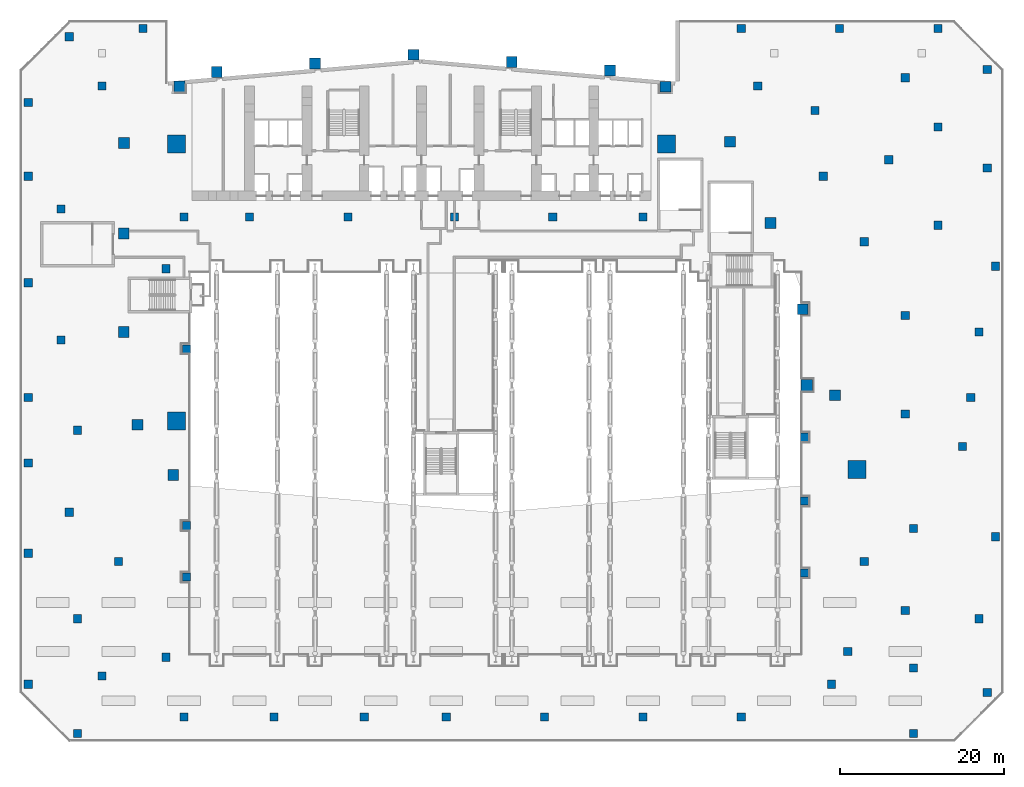
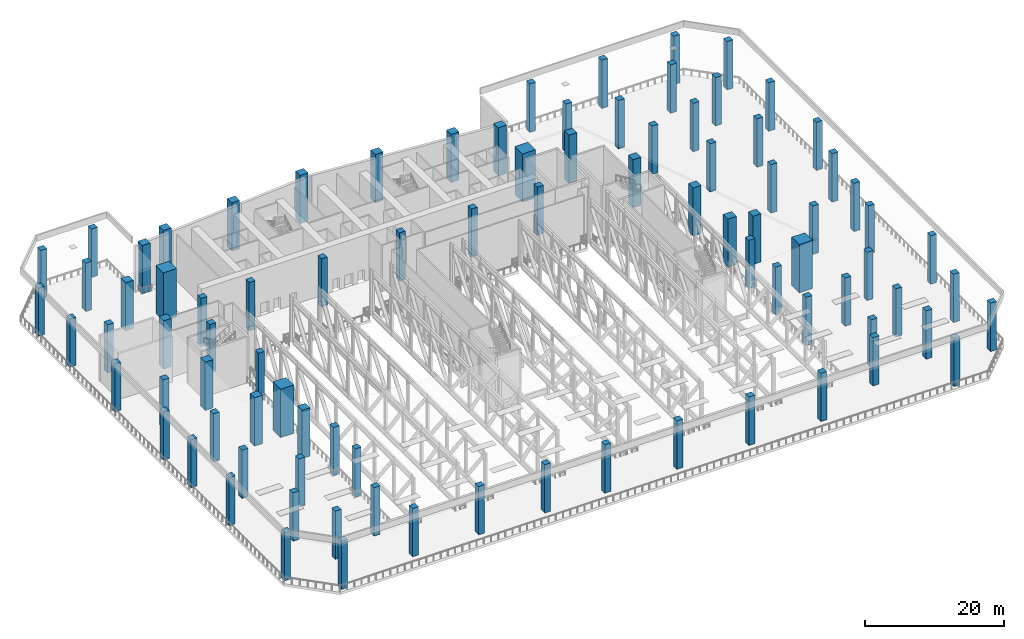
# One storey, part 1 of 33: 89 columns.
"""IFC4 building model written with IfcOpenShell, lengths in metres."""

import ifcopenshell
import ifcopenshell.guid

model = None  # the IFC model being written
_history = None  # IfcOwnerHistory: only IFC2X3 demands one
_inside = {}  # id of a spatial element -> (the spatial element, [elements in it])
_under = {}  # id of a project, library or spatial element -> (it, [spatial elements below it])
_declared = {}  # id of a project -> (the project, [libraries it declares])
_typed = {}  # id of a type object -> (the type object, [elements of that type])
_made_of = {}  # id of a material, layer set ... -> (it, [elements and type objects made of it])


def new_model(schema):
    """Start an empty IFC model of exactly this schema.

    Asked for "IFC4X3", IfcOpenShell would pick the latest addendum, in which some entities
    have other attributes; the version numbers below select the first issue.
    IFC2X3 requires an IfcOwnerHistory on every rooted entity: one is made here for all.
    """
    global model, _history
    if schema == "IFC4X3":
        model = ifcopenshell.file(schema_version=(4, 3, 0, 0))
    else:
        model = ifcopenshell.file(schema=schema)
    _inside.clear()
    _under.clear()
    _declared.clear()
    _typed.clear()
    _made_of.clear()
    _history = None
    if model.schema == "IFC2X3":
        org = make("IfcOrganization", Name="unknown")
        user = make(
            "IfcPersonAndOrganization",
            ThePerson=make("IfcPerson", FamilyName="unknown"),
            TheOrganization=org,
        )
        app = make(
            "IfcApplication",
            ApplicationDeveloper=org,
            Version="unknown",
            ApplicationFullName="unknown",
            ApplicationIdentifier="unknown",
        )
        _history = make(
            "IfcOwnerHistory",
            OwningUser=user,
            OwningApplication=app,
            ChangeAction="ADDED",
            CreationDate=0,
        )
    return model


def make(cls, **values):
    """One entity of the class cls with the attributes given. An attribute that is None is left unset."""
    return model.create_entity(
        cls, **{name: value for name, value in values.items() if value is not None}
    )


def rooted(cls, **values):
    """An entity with a GlobalId (a new one), such as an element, a storey or a relation."""
    return make(cls, GlobalId=ifcopenshell.guid.new(), OwnerHistory=_history, **values)


def si_unit(unit_type, name, prefix=None):
    """IfcSIUnit, for example si_unit("LENGTHUNIT", "METRE", prefix="MILLI")."""
    return make("IfcSIUnit", UnitType=unit_type, Prefix=prefix, Name=name)


def assignment(units):
    """IfcUnitAssignment: the units of a project."""
    return None if units is None else make("IfcUnitAssignment", Units=units)


def point(xyz):
    """IfcCartesianPoint."""
    return None if xyz is None else make("IfcCartesianPoint", Coordinates=xyz)


def direction(xyz):
    """IfcDirection."""
    return None if xyz is None else make("IfcDirection", DirectionRatios=xyz)


def frame(location, z_axis=None, x_axis=None):
    """IfcAxis2Placement3D, a coordinate frame: its origin and axes. An axis left out is left unset."""
    return make(
        "IfcAxis2Placement3D",
        Location=point(location),
        Axis=direction(z_axis),
        RefDirection=direction(x_axis),
    )


def frame_2d(location, x_axis=None):
    """IfcAxis2Placement2D, a coordinate frame in the plane: its origin and x axis."""
    return make(
        "IfcAxis2Placement2D", Location=point(location), RefDirection=direction(x_axis)
    )


def origin():
    """The frame at (0, 0, 0) with its axes left unset."""
    return frame((0.0, 0.0, 0.0))


def origin_2d():
    """The frame at (0, 0) in the plane with its x axis left unset."""
    return frame_2d((0.0, 0.0))


def place(relative_to, where):
    """IfcLocalPlacement: puts the frame where relative to a parent placement (None: the world)."""
    return make(
        "IfcLocalPlacement", PlacementRelTo=relative_to, RelativePlacement=where
    )


def context(
    kind, dimensions, precision=None, world=None, true_north=None, identifier=None
):
    """IfcGeometricRepresentationContext, for example the 3D "Model" context."""
    return make(
        "IfcGeometricRepresentationContext",
        ContextIdentifier=identifier,
        ContextType=kind,
        CoordinateSpaceDimension=dimensions,
        Precision=precision,
        WorldCoordinateSystem=world,
        TrueNorth=true_north,
    )


def subcontext(parent, identifier, kind, view, scale=None):
    """IfcGeometricRepresentationSubContext, for example "Body" below "Model"."""
    return make(
        "IfcGeometricRepresentationSubContext",
        ContextIdentifier=identifier,
        ContextType=kind,
        ParentContext=parent,
        TargetScale=scale,
        TargetView=view,
    )


def project(units=None, contexts=None):
    """IfcProject with its units and contexts."""
    return rooted(
        "IfcProject",
        Name="project",
        RepresentationContexts=contexts,
        UnitsInContext=assignment(units),
    )


def spatial(cls, under=None, at=None, **own):
    """A site, building, storey or space (cls), placed at a placement, below another one or the project."""
    s = rooted(cls, ObjectPlacement=at, **own)
    if under is not None:
        _under.setdefault(under.id(), (under, []))[1].append(s)
    return s


def profile(cls, at=None, kind="AREA", **sizes):
    """A parametric profile (cls). Its sizes go by their IFC names, for example OverallWidth=200.0."""
    return make(cls, ProfileType=kind, Position=at, **sizes)


def rectangle(**sizes):
    """IfcRectangleProfileDef."""
    return profile("IfcRectangleProfileDef", **sizes)


def extrude(swept, where, along, depth):
    """IfcExtrudedAreaSolid: the profile swept, set in the frame where, extruded along a direction by depth."""
    return make(
        "IfcExtrudedAreaSolid",
        SweptArea=swept,
        Position=where,
        ExtrudedDirection=direction(along),
        Depth=depth,
    )


def shape(context_of_items, identifier, shape_type, items):
    """IfcShapeRepresentation: the items that make up one representation, for example the "Body"."""
    return make(
        "IfcShapeRepresentation",
        ContextOfItems=context_of_items,
        RepresentationIdentifier=identifier,
        RepresentationType=shape_type,
        Items=items,
    )


def material(Name=None, Category=None):
    """IfcMaterial."""
    return make("IfcMaterial", Name=Name, Category=Category)


def material_profile(
    of_material, cross_section, Name=None, Category=None, Priority=None
):
    """IfcMaterialProfile: a cross section and its material."""
    return make(
        "IfcMaterialProfile",
        Name=Name,
        Material=of_material,
        Profile=cross_section,
        Priority=Priority,
        Category=Category,
    )


def profile_set(profiles, Name=None, composite=None):
    """IfcMaterialProfileSet."""
    return make(
        "IfcMaterialProfileSet",
        Name=Name,
        MaterialProfiles=profiles,
        CompositeProfile=composite,
    )


def made_of(thing, what):
    """Note that an element or type object is made of a material, layer set ...; save() writes the relation."""
    if what is not None:
        _made_of.setdefault(what.id(), (what, []))[1].append(thing)
    return thing


def type_object(cls, material=None, **own):
    """A type object (cls), such as IfcWallType, which elements share."""
    return made_of(rooted(cls, **own), material)


def element(
    cls,
    number,
    at=None,
    inside=None,
    cuts=None,
    type_object=None,
    material=None,
    context=None,
    identifier="Body",
    shape_type=None,
    held_by="IfcProductDefinitionShape",
    body=None,
    shapes=None,
    **own,
):
    """One element of the class cls, such as IfcWall. Its Tag is "e" and its number.

    at: its placement. inside: the storey or other place that contains it. cuts: it is an
    opening in that element (IfcRelVoidsElement). A single representation is given by context,
    identifier, shape_type and body (its items); several are given by shapes. held_by: the class
    of the entity that holds the representations. save() writes the other relations.
    """
    e = rooted(cls, Tag="e%d" % number, ObjectPlacement=at, **own)
    if body is not None:
        shapes = [shape(context, identifier, shape_type, body)]
    if shapes is not None:
        e.Representation = make(held_by, Representations=shapes)
    if inside is not None:
        _inside.setdefault(inside.id(), (inside, []))[1].append(e)
    if cuts is not None:
        rooted(
            "IfcRelVoidsElement", RelatingBuildingElement=cuts, RelatedOpeningElement=e
        )
    if type_object is not None:
        _typed.setdefault(type_object.id(), (type_object, []))[1].append(e)
    return made_of(e, material)


def aggregate(whole, parts):
    """IfcRelAggregates: a whole, such as a stair, and the parts it consists of."""
    return rooted("IfcRelAggregates", RelatingObject=whole, RelatedObjects=parts)


def save(model, path):
    """Write the relations noted so far, then the file.

    IfcRelAggregates (storeys below a building ...), IfcRelContainedInSpatialStructure (elements
    in a storey), IfcRelDefinesByType, IfcRelAssociatesMaterial and IfcRelDeclares: one each for
    every whole, place, type object, material and project.
    """
    for whole, parts in _under.values():
        aggregate(whole, parts)
    for where, things in _inside.values():
        rooted(
            "IfcRelContainedInSpatialStructure",
            RelatedElements=things,
            RelatingStructure=where,
        )
    for kind, things in _typed.values():
        rooted("IfcRelDefinesByType", RelatedObjects=things, RelatingType=kind)
    for what, things in _made_of.values():
        rooted("IfcRelAssociatesMaterial", RelatedObjects=things, RelatingMaterial=what)
    for by, libraries in _declared.values():
        rooted("IfcRelDeclares", RelatingContext=by, RelatedDefinitions=libraries)
    model.write(path)


model = new_model("IFC4")

# Units and contexts
model_context = context("Model", 3, precision=1e-05, world=origin(), true_north=direction((0.0, 1.0)))
body_context = subcontext(model_context, "Body", "Model", "MODEL_VIEW")
ifc_project = project(units=[si_unit("LENGTHUNIT", "METRE"), si_unit("AREAUNIT", "SQUARE_METRE"), si_unit("VOLUMEUNIT", "CUBIC_METRE"), si_unit("PLANEANGLEUNIT", "RADIAN"), si_unit("MASSUNIT", "GRAM", prefix="KILO")], contexts=[model_context])

# Site, building, storey
site_placement = place(None, origin())
site = spatial("IfcSite", under=ifc_project, at=site_placement, CompositionType="ELEMENT")
building_placement = place(site_placement, origin())
building = spatial("IfcBuilding", under=site, at=building_placement, Name="Wharfspan Tower", CompositionType="ELEMENT")
storey_placement = place(building_placement, frame((0.0, 0.0, 33.0)))
storey = spatial("IfcBuildingStorey", under=building, at=storey_placement, Name="L05", CompositionType="ELEMENT", Elevation=33.0)

# Columns
ifc_material = material(Name="Concrete C60/75", Category="concrete")
ifc_material_profile_1 = material_profile(ifc_material, rectangle(XDim=1.0, YDim=1.0, at=origin_2d()))
ifc_profile_set_1 = profile_set([ifc_material_profile_1], Name="Concrete C60/75")
column_type_1 = type_object("IfcColumnType", Name="Concrete column 1000 square", PredefinedType="COLUMN", material=ifc_profile_set_1)
for number, where, z_axis, x_axis, name in (
    (1, (5.800049, -21.699951, 0.0), (0.0, 0.0, 1.0), (1.0, 0.0, 0.0), "Column G.S1"),
    (2, (5.800049, 25.699951, 0.0), (0.0, 0.0, 1.0), (1.0, 0.0, 0.0), "Column G.N2"),
    (3, (8.300049, -11.919922, 0.0), (0.0, 0.0, 1.0), (1.0, 0.0, 0.0), "Column G.W3"),
    (4, (8.300049, -5.639893, 0.0), (0.0, 0.0, 1.0), (1.0, 0.0, 0.0), "Column G.W4"),
    (5, (8.300049, 15.919922, 0.0), (0.0, 0.0, 1.0), (1.0, 0.0, 0.0), "Column G.W5"),
    (6, (83.699951, -11.419922, 0.0), (0.0, 0.0, 1.0), (1.0, 0.0, 0.0), "Column G.E6"),
    (7, (83.699951, -2.639893, 0.0), (0.0, 0.0, 1.0), (1.0, 0.0, 0.0), "Column G.E7"),
    (8, (83.699951, 5.139893, 0.0), (0.0, 0.0, 1.0), (1.0, 0.0, 0.0), "Column G.E8"),
    (9, (106.0, 50.0, 0.0), (0.0, 0.0, 1.0), (1.0, 0.0, 0.0), "Column D.1"),
    (10, (106.0, -26.0, 0.0), (0.0, 0.0, 1.0), (1.0, 0.0, 0.0), "Column D.2"),
    (11, (107.0, 26.0, 0.0), (0.0, 0.0, 1.0), (1.0, 0.0, 0.0), "Column D.3"),
    (12, (-11.0, -9.0, 0.0), (0.0, 0.0, 1.0), (1.0, 0.0, 0.0), "Column D.4"),
    (13, (107.0, -7.0, 0.0), (0.0, 0.0, 1.0), (1.0, 0.0, 0.0), "Column D.5"),
    (14, (88.0, 55.0, 0.0), (0.0, 0.0, 1.0), (1.0, 0.0, 0.0), "Column D.6"),
    (15, (-11.0, -25.0, 0.0), (0.0, 0.0, 1.0), (1.0, 0.0, 0.0), "Column D.7"),
    (16, (94.0, 39.0, 0.0), (0.0, 0.0, 1.0), (1.0, 0.0, 0.0), "Column D.8"),
    (17, (104.0, 10.0, 0.0), (0.0, 0.0, 1.0), (1.0, 0.0, 0.0), "Column D.9"),
    (18, (-6.0, 54.0, 0.0), (0.0, 0.0, 1.0), (1.0, 0.0, 0.0), "Column D.10"),
    (19, (97.0, -31.0, 0.0), (0.0, 0.0, 1.0), (1.0, 0.0, 0.0), "Column D.11"),
    (20, (-11.0, 10.0, 0.0), (0.0, 0.0, 1.0), (1.0, 0.0, 0.0), "Column D.12"),
    (21, (96.0, -16.0, 0.0), (0.0, 0.0, 1.0), (1.0, 0.0, 0.0), "Column D.13"),
    (22, (-11.0, 24.0, 0.0), (0.0, 0.0, 1.0), (1.0, 0.0, 0.0), "Column D.14"),
    (23, (96.0, 20.0, 0.0), (0.0, 0.0, 1.0), (1.0, 0.0, 0.0), "Column D.15"),
    (24, (-11.0, 37.0, 0.0), (0.0, 0.0, 1.0), (1.0, 0.0, 0.0), "Column D.16"),
    (25, (106.0, 38.0, 0.0), (0.0, 0.0, 1.0), (1.0, 0.0, 0.0), "Column D.17"),
    (26, (76.0, 55.0, 0.0), (0.0, 0.0, 1.0), (1.0, 0.0, 0.0), "Column D.18"),
    (27, (-5.0, -31.0, 0.0), (0.0, 0.0, 1.0), (1.0, 0.0, 0.0), "Column D.19"),
    (28, (87.0, -25.0, 0.0), (0.0, 0.0, 1.0), (1.0, 0.0, 0.0), "Column D.20"),
    (29, (-5.0, -17.0, 0.0), (0.0, 0.0, 1.0), (1.0, 0.0, 0.0), "Column D.21"),
    (30, (85.0, 45.0, 0.0), (0.0, 0.0, 1.0), (1.0, 0.0, 0.0), "Column D.22"),
    (31, (40.0, -29.0, 0.0), (0.0, 0.0, 1.0), (1.0, 0.0, 0.0), "Column D.23"),
    (32, (-6.0, -4.0, 0.0), (0.0, 0.0, 1.0), (1.0, 0.0, 0.0), "Column D.24"),
    (33, (91.0, 29.0, 0.0), (0.0, 0.0, 1.0), (1.0, 0.0, 0.0), "Column D.25"),
    (34, (52.0, -29.0, 0.0), (0.0, 0.0, 1.0), (1.0, 0.0, 0.0), "Column D.26"),
    (35, (96.0, 49.0, 0.0), (0.0, 0.0, 1.0), (1.0, 0.0, 0.0), "Column D.27"),
    (36, (97.0, -6.0, 0.0), (0.0, 0.0, 1.0), (1.0, 0.0, 0.0), "Column D.28"),
    (37, (30.0, -29.0, 0.0), (0.0, 0.0, 1.0), (1.0, 0.0, 0.0), "Column D.29"),
    (38, (64.0, -29.0, 0.0), (0.0, 0.0, 1.0), (1.0, 0.0, 0.0), "Column D.30"),
    (39, (76.0, -29.0, 0.0), (0.0, 0.0, 1.0), (1.0, 0.0, 0.0), "Column D.31"),
    (40, (19.0, -29.0, 0.0), (0.0, 0.0, 1.0), (1.0, 0.0, 0.0), "Column D.32"),
    (41, (8.0, -29.0, 0.0), (0.0, 0.0, 1.0), (1.0, 0.0, 0.0), "Column D.33"),
    (42, (105.0, -17.0, 0.0), (0.0, 0.0, 1.0), (1.0, 0.0, 0.0), "Column D.34"),
    (43, (-11.0, 46.0, 0.0), (0.0, 0.0, 1.0), (1.0, 0.0, 0.0), "Column D.35"),
    (44, (103.0, 4.0, 0.0), (0.0, 0.0, 1.0), (1.0, 0.0, 0.0), "Column D.36"),
    (45, (41.0, 32.0, 0.0), (0.0, 0.0, 1.0), (1.0, 0.0, 0.0), "Column D.37"),
    (46, (100.0, 31.0, 0.0), (0.0, 0.0, 1.0), (1.0, 0.0, 0.0), "Column D.38"),
    (47, (0.0, -10.0, 0.0), (0.0, 0.0, 1.0), (1.0, 0.0, 0.0), "Column D.39"),
    (48, (53.0, 32.0, 0.0), (0.0, 0.0, 1.0), (1.0, 0.0, 0.0), "Column D.40"),
    (49, (3.0, 55.0, 0.0), (0.0, 0.0, 1.0), (1.0, 0.0, 0.0), "Column D.41"),
    (50, (28.0, 32.0, 0.0), (0.0, 0.0, 1.0), (1.0, 0.0, 0.0), "Column D.42"),
    (51, (64.0, 32.0, 0.0), (0.0, 0.0, 1.0), (1.0, 0.0, 0.0), "Column D.43"),
    (52, (86.0, 37.0, 0.0), (0.0, 0.0, 1.0), (1.0, 0.0, 0.0), "Column D.44"),
    (53, (96.0, 8.0, 0.0), (0.0, 0.0, 1.0), (1.0, 0.0, 0.0), "Column D.45"),
    (54, (105.0, 18.0, 0.0), (0.0, 0.0, 1.0), (1.0, 0.0, 0.0), "Column D.46"),
    (55, (16.0, 32.0, 0.0), (0.0, 0.0, 1.0), (1.0, 0.0, 0.0), "Column D.47"),
    (56, (-11.0, 2.0, 0.0), (0.0, 0.0, 1.0), (1.0, 0.0, 0.0), "Column D.48"),
    (57, (-7.0, 17.0, 0.0), (0.0, 0.0, 1.0), (1.0, 0.0, 0.0), "Column D.49"),
    (58, (8.0, 32.0, 0.0), (0.0, 0.0, 1.0), (1.0, 0.0, 0.0), "Column D.50"),
    (59, (-2.0, -24.0, 0.0), (0.0, 0.0, 1.0), (1.0, 0.0, 0.0), "Column D.51"),
    (60, (97.0, -23.0, 0.0), (0.0, 0.0, 1.0), (1.0, 0.0, 0.0), "Column D.52"),
    (61, (78.0, 48.0, 0.0), (0.0, 0.0, 1.0), (1.0, 0.0, 0.0), "Column D.53"),
    (62, (89.0, -21.0, 0.0), (0.0, 0.0, 1.0), (1.0, 0.0, 0.0), "Column D.54"),
    (63, (-7.0, 33.0, 0.0), (0.0, 0.0, 1.0), (1.0, 0.0, 0.0), "Column D.55"),
    (64, (-5.0, 6.0, 0.0), (0.0, 0.0, 1.0), (1.0, 0.0, 0.0), "Column D.56"),
    (65, (-2.0, 48.0, 0.0), (0.0, 0.0, 1.0), (1.0, 0.0, 0.0), "Column D.57"),
    (66, (91.0, -10.0, 0.0), (0.0, 0.0, 1.0), (1.0, 0.0, 0.0), "Column D.58"),
    (67, (100.0, 43.0, 0.0), (0.0, 0.0, 1.0), (1.0, 0.0, 0.0), "Column D.59"),
    (68, (100.0, 55.0, 0.0), (0.0, 0.0, 1.0), (1.0, 0.0, 0.0), "Column D.60"),
):
    element("IfcColumn", number, at=place(storey_placement, frame(where, z_axis=z_axis, x_axis=x_axis)), inside=storey, type_object=column_type_1, Name=name, PredefinedType="COLUMN", context=body_context, shape_type="SweptSolid", body=[
        extrude(rectangle(XDim=1.0, YDim=1.0, at=origin_2d()), origin(), (0.0, 0.0, 1.0), 8.5),
    ])
ifc_material_profile_2 = material_profile(ifc_material, rectangle(XDim=1.320068, YDim=1.320068, at=origin_2d()))
ifc_profile_set_2 = profile_set([ifc_material_profile_2], Name="Concrete C60/75")
column_type_2 = type_object("IfcColumnType", Name="Concrete column 1320 square", PredefinedType="COLUMN", material=ifc_profile_set_2)
for number, where, z_axis, x_axis, name in (
    (69, (6.694336, 0.528564, 0.0), (0.0, 0.0, 1.0), (1.0, 0.0, 0.0), "Column T.PS1.1"),
    (70, (87.44458, 10.268311, 0.0), (0.0, 0.0, 1.0), (1.0, 0.0, 0.0), "Column T.PE.1"),
    (71, (83.50708, 20.768311, 0.0), (0.0, 0.0, 1.0), (1.0, 0.0, 0.0), "Column T.PE.2"),
    (72, (79.56958, 31.268311, 0.0), (0.0, 0.0, 1.0), (1.0, 0.0, 0.0), "Column T.PE.3"),
    (73, (74.634277, 41.196289, 0.0), (0.0, 0.0, 1.0), (1.0, 0.0, 0.0), "Column T.PE.4"),
    (74, (66.747803, 47.915283, 0.0), (0.0, 0.0, 1.0), (1.0, 0.0, 0.0), "Column T.PNRE-V.1"),
    (75, (7.466553, 47.933594, 0.0), (0.0, 0.0, 1.0), (1.0, 0.0, 0.0), "Column T.PNRW-V.1"),
    (76, (0.684814, 41.03418, 0.0), (0.0, 0.0, 1.0), (1.0, 0.0, 0.0), "Column T.PNRW-H.1"),
    (77, (0.659912, 30.0, 0.0), (0.0, 0.0, 1.0), (1.0, 0.0, 0.0), "Column T.PW.1"),
    (78, (0.659912, 18.0, 0.0), (0.0, 0.0, 1.0), (1.0, 0.0, 0.0), "Column T.PW.2"),
    (79, (2.331787, 6.66748, 0.0), (0.0, 0.0, 1.0), (1.0, 0.0, 0.0), "Column T.PW.3"),
    (80, (12.0, 49.709961, 0.0), (0.0, 0.0, 1.0), (1.0, 0.0, 0.0), "Column T.R.1"),
    (81, (24.0, 50.759766, 0.0), (0.0, 0.0, 1.0), (1.0, 0.0, 0.0), "Column T.R.2"),
    (82, (36.0, 51.80957, 0.0), (0.0, 0.0, 1.0), (1.0, 0.0, 0.0), "Column T.R.3"),
    (83, (48.0, 50.934814, 0.0), (0.0, 0.0, 1.0), (1.0, 0.0, 0.0), "Column T.R.4"),
    (84, (60.0, 49.884766, 0.0), (0.0, 0.0, 1.0), (1.0, 0.0, 0.0), "Column T.R.5"),
):
    element("IfcColumn", number, at=place(storey_placement, frame(where, z_axis=z_axis, x_axis=x_axis)), inside=storey, type_object=column_type_2, Name=name, PredefinedType="COLUMN", context=body_context, shape_type="SweptSolid", body=[
        extrude(rectangle(XDim=1.320068, YDim=1.320068, at=origin_2d()), origin(), (0.0, 0.0, 1.0), 8.5),
    ])
ifc_material_profile_3 = material_profile(ifc_material, rectangle(XDim=1.399902, YDim=1.399902, at=origin_2d()))
ifc_profile_set_3 = profile_set([ifc_material_profile_3], Name="Concrete C60/75")
column_type_3 = type_object("IfcColumnType", Name="Concrete column 1400 square", PredefinedType="COLUMN", material=ifc_profile_set_3)
column_placement = place(storey_placement, frame((84.0, 11.5, 0.0), z_axis=(0.0, 0.0, 1.0), x_axis=(1.0, 0.0, 0.0)))
element("IfcColumn", 85, at=column_placement, inside=storey, type_object=column_type_3, Name="Column T.I.1.7", PredefinedType="COLUMN", context=body_context, shape_type="SweptSolid", body=[
    extrude(rectangle(XDim=1.399902, YDim=1.399902, at=origin_2d()), origin(), (0.0, 0.0, 1.0), 8.5),
])
ifc_material_profile_4 = material_profile(ifc_material, rectangle(XDim=2.199951, YDim=2.199951, at=origin_2d()))
ifc_profile_set_4 = profile_set([ifc_material_profile_4], Name="Concrete C60/75")
column_type_4 = type_object("IfcColumnType", Name="Concrete column 2200 square", PredefinedType="COLUMN", material=ifc_profile_set_4)
for number, where, z_axis, x_axis, name in (
    (86, (7.100098, 7.100098, 0.0), (0.0, 0.0, 1.0), (1.0, 0.0, 0.0), "Column T.MC1"),
    (87, (7.100098, 40.899902, 0.0), (0.0, 0.0, 1.0), (1.0, 0.0, 0.0), "Column T.MC2"),
    (88, (66.899902, 40.899902, 0.0), (0.0, 0.0, 1.0), (1.0, 0.0, 0.0), "Column T.MC3"),
    (89, (90.096436, 1.199707, 0.0), (0.0, 0.0, 1.0), (1.0, 0.0, 0.0), "Column T.MC4"),
):
    element("IfcColumn", number, at=place(storey_placement, frame(where, z_axis=z_axis, x_axis=x_axis)), inside=storey, type_object=column_type_4, Name=name, PredefinedType="COLUMN", context=body_context, shape_type="SweptSolid", body=[
        extrude(rectangle(XDim=2.199951, YDim=2.199951, at=origin_2d()), origin(), (0.0, 0.0, 1.0), 8.5),
    ])

save(model, "model.ifc")
